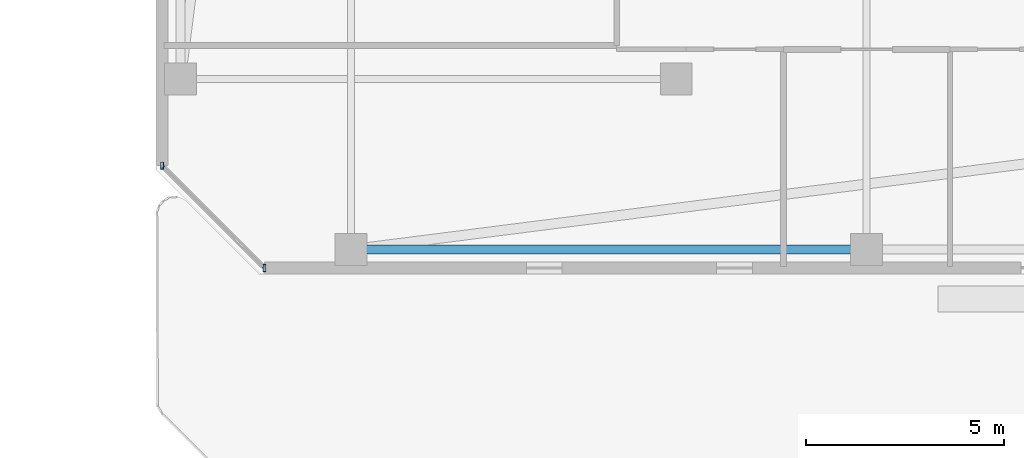
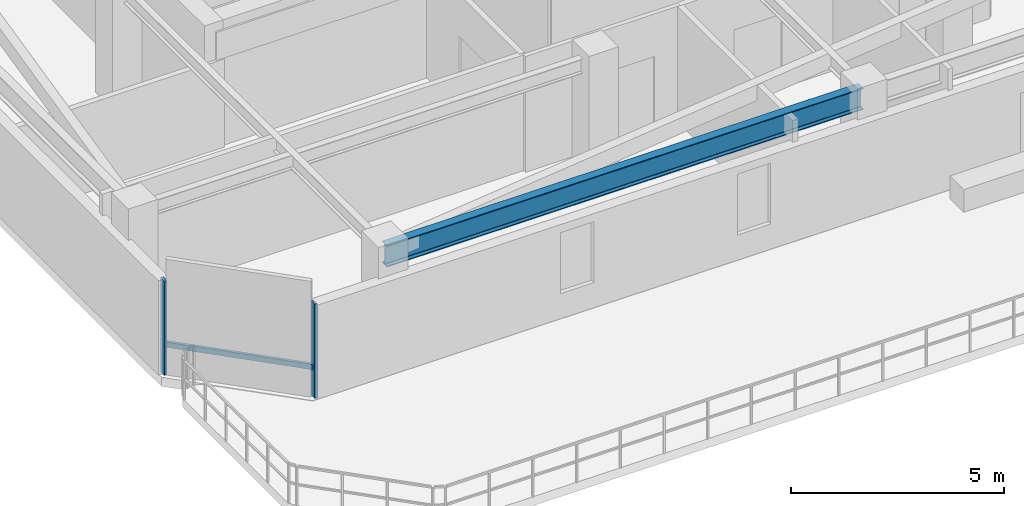
# One storey, part 10 of 31: 3 members, 1 beam, 1 element without a shape of its own.
"""IFC4 building model written with IfcOpenShell, lengths in metres."""

from ifc_helpers import new_model, si_unit, direction, frame, origin, origin_2d, place, context, subcontext, project, spatial, hollow_rectangle, i_section, extrude, material, material_profile, profile_set, type_object, element, aggregate, save


model = new_model("IFC4")

# Units and contexts
model_context = context("Model", 3, precision=1e-05, world=origin(), true_north=direction((0.0, 1.0)))
body_context = subcontext(model_context, "Body", "Model", "MODEL_VIEW")
ifc_project = project(units=[si_unit("LENGTHUNIT", "METRE"), si_unit("AREAUNIT", "SQUARE_METRE"), si_unit("VOLUMEUNIT", "CUBIC_METRE"), si_unit("PLANEANGLEUNIT", "RADIAN"), si_unit("MASSUNIT", "GRAM", prefix="KILO")], contexts=[model_context])

# Site, building, storey
site_placement = place(None, origin())
site = spatial("IfcSite", under=ifc_project, at=site_placement, CompositionType="ELEMENT")
building_placement = place(site_placement, origin())
building = spatial("IfcBuilding", under=site, at=building_placement, Name="Thornwick Lancets Civic Towers", CompositionType="ELEMENT")
storey_placement = place(building_placement, frame((0.0, 0.0, 254.699951171875)))
storey = spatial("IfcBuildingStorey", under=building, at=storey_placement, Name="L68", CompositionType="ELEMENT", Elevation=254.699951171875)

# Beam
ifc_material_1 = material(Name="Steel S355JR", Category="steel")
ifc_material_profile_1 = material_profile(ifc_material_1, i_section(OverallWidth=0.230224609375, OverallDepth=0.6171875, WebThickness=0.01318359375, FlangeThickness=0.022216796875, FilletRadius=0.0126953125, at=origin_2d()), Name="UKB 610x229x140")
ifc_profile_set_1 = profile_set([ifc_material_profile_1], Name="Steel S355JR")
beam_type = type_object("IfcBeamType", Name="BM_GIRD_610_140", PredefinedType="BEAM", material=ifc_profile_set_1)
beam_placement = place(storey_placement, frame((88.419921875, 9.699951171875, 3.031494140625), z_axis=(-1.0, 0.0, 0.0), x_axis=(0.0, -1.0, 0.0)))
element("IfcBeam", 1, at=beam_placement, inside=storey, type_object=beam_type, Name="BM-SPINE-L68-B-10-11", PredefinedType="BEAM", context=body_context, shape_type="SweptSolid", body=[
    extrude(i_section(OverallWidth=0.230224609375, OverallDepth=0.6171875, WebThickness=0.01318359375, FlangeThickness=0.022216796875, FilletRadius=0.0126953125, at=origin_2d()), origin(), (0.0, 0.0, 1.0), 12.919921875),
])

# Curtain wall, members
ifc_material_2 = material(Name="High-zone chamfered-corner unitised glass curtain wall", Category="glass")
curtain_wall_type = type_object("IfcCurtainWallType", Name="CW_SYS_05", PredefinedType="NOTDEFINED", material=ifc_material_2)
curtain_wall_placement = place(storey_placement, origin())
curtain_wall = element("IfcCurtainWall", 2, at=curtain_wall_placement, inside=storey, type_object=curtain_wall_type, Name="L68 Curtain Wall CW-L68-B-E7", PredefinedType="NOTDEFINED")
ifc_material_3 = material(Name="Thermally broken bronze aluminium S355", Category="steel")
ifc_material_profile_2 = material_profile(ifc_material_3, hollow_rectangle(XDim=0.074951171875, YDim=0.179931640625, WallThickness=0.006103515625, at=origin_2d()), Name="RHS 180x75x6")
ifc_profile_set_2 = profile_set([ifc_material_profile_2], Name="Thermally broken bronze aluminium S355")
member_type_1 = type_object("IfcMemberType", Name="CW_MUL_180", PredefinedType="MULLION", material=ifc_profile_set_2)
member_1_placement = place(storey_placement, frame((70.7353515625, 11.818603515625, 0.0), z_axis=(0.0, 0.0, 1.0), x_axis=(1.0, 0.0, 0.0)))
member_1 = element("IfcMember", 3, at=member_1_placement, type_object=member_type_1, Name="CW-L68-B-E7 Mullion 0", PredefinedType="MULLION", context=body_context, shape_type="SweptSolid", body=[
    extrude(hollow_rectangle(XDim=0.074951171875, YDim=0.179931640625, WallThickness=0.006103515625, at=origin_2d()), origin(), (0.0, 0.0, 1.0), 2.699951171875),
])
member_2_placement = place(storey_placement, frame((73.318603515625, 9.2353515625, 0.0), z_axis=(0.0, 0.0, 1.0), x_axis=(1.0, 0.0, 0.0)))
member_2 = element("IfcMember", 4, at=member_2_placement, type_object=member_type_1, Name="CW-L68-B-E7 Mullion 1", PredefinedType="MULLION", context=body_context, shape_type="SweptSolid", body=[
    extrude(hollow_rectangle(XDim=0.074951171875, YDim=0.179931640625, WallThickness=0.006103515625, at=origin_2d()), origin(), (0.0, 0.0, 1.0), 2.699951171875),
])
ifc_material_profile_3 = material_profile(ifc_material_3, hollow_rectangle(XDim=0.074951171875, YDim=0.14990234375, WallThickness=0.0048828125, at=origin_2d()), Name="RHS 150x75x5")
ifc_profile_set_3 = profile_set([ifc_material_profile_3], Name="Thermally broken bronze aluminium S355")
member_type_2 = type_object("IfcMemberType", Name="CW_TRN_150", PredefinedType="USERDEFINED", material=ifc_profile_set_3)
member_3_placement = place(storey_placement, frame((70.74951171875, 11.804443359375, 0.85009765625), z_axis=(0.707106781187, -0.707106781187, 0.0), x_axis=(0.707106781187, 0.707106781187, 0.0)))
member_3 = element("IfcMember", 5, at=member_3_placement, type_object=member_type_2, Name="CW-L68-B-E7 Transom 0", ObjectType="TRANSOM", PredefinedType="USERDEFINED", context=body_context, shape_type="SweptSolid", body=[
    extrude(hollow_rectangle(XDim=0.074951171875, YDim=0.14990234375, WallThickness=0.0048828125, at=origin_2d()), origin(), (0.0, 0.0, 1.0), 3.61328125),
])
aggregate(curtain_wall, [member_1, member_2, member_3])

save(model, "model.ifc")
